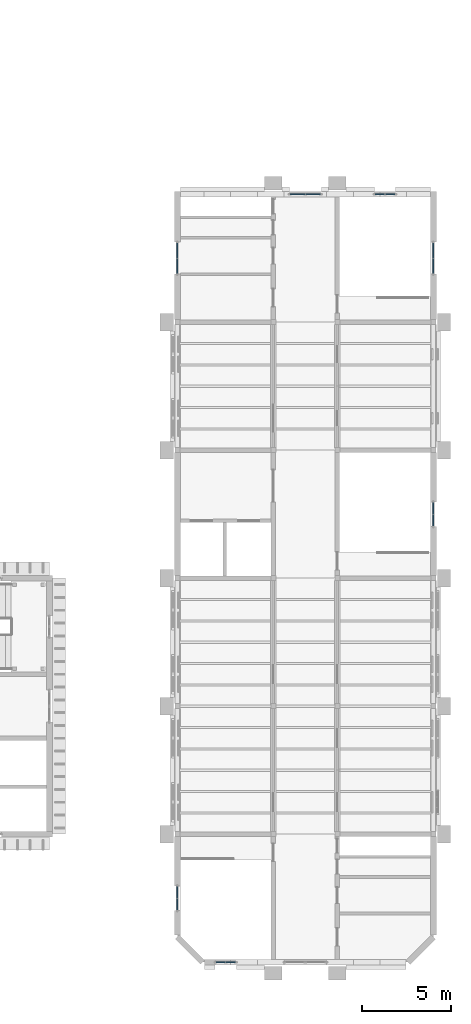
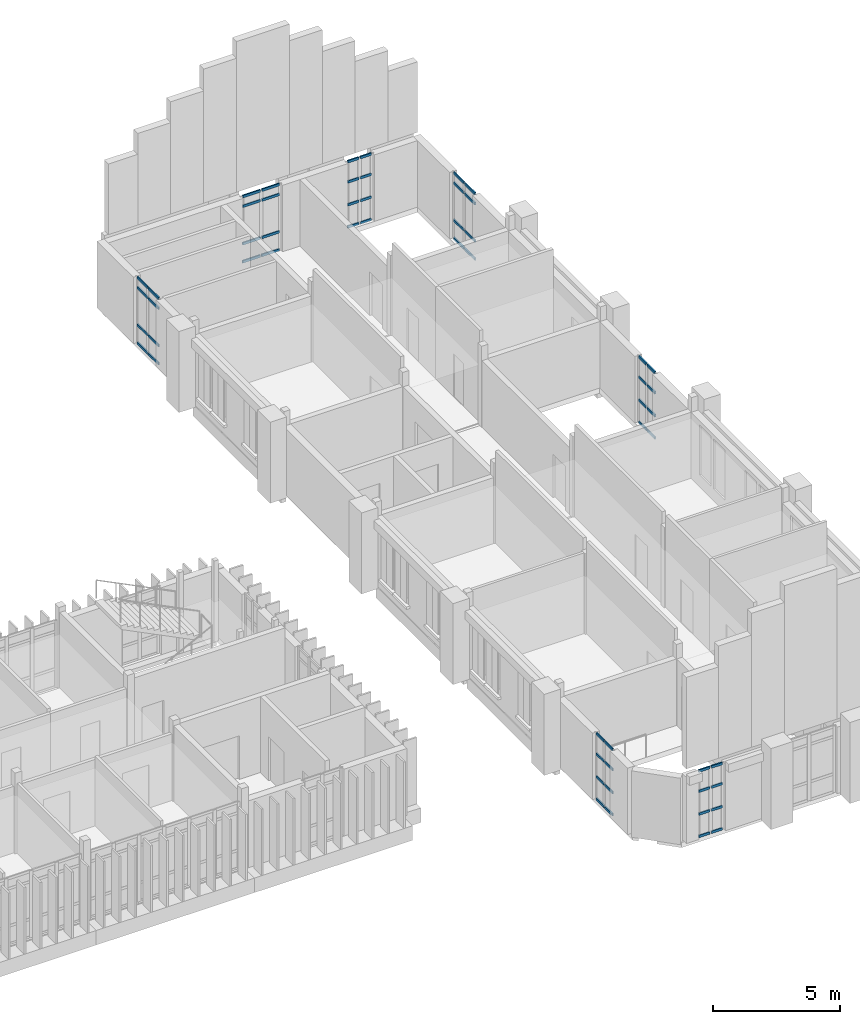
# One storey, part 25 of 71: 56 members, 7 elements without a shape of their own.
"""IFC4 building model written with IfcOpenShell, lengths in metres."""

from ifc_helpers import new_model, si_unit, direction, frame, origin, origin_2d, place, context, subcontext, project, spatial, rectangle, extrude, material, layer, layer_set, material_profile, profile_set, type_object, element, aggregate, save


model = new_model("IFC4")

# Units and contexts
model_context = context("Model", 3, precision=1e-05, world=origin(), true_north=direction((0.0, 1.0)))
body_context = subcontext(model_context, "Body", "Model", "MODEL_VIEW")
ifc_project = project(units=[si_unit("LENGTHUNIT", "METRE"), si_unit("AREAUNIT", "SQUARE_METRE"), si_unit("VOLUMEUNIT", "CUBIC_METRE"), si_unit("PLANEANGLEUNIT", "RADIAN"), si_unit("MASSUNIT", "GRAM", prefix="KILO")], contexts=[model_context])

# Site, building, storey
site_placement = place(None, origin())
site = spatial("IfcSite", under=ifc_project, at=site_placement, CompositionType="ELEMENT")
building_placement = place(site_placement, origin())
building = spatial("IfcBuilding", under=site, at=building_placement, Name="Mazhai Court Health Centre", CompositionType="ELEMENT")
storey_placement = place(building_placement, frame((0.0, 0.0, 10.199951171875)))
storey = spatial("IfcBuildingStorey", under=building, at=storey_placement, Name="L02", CompositionType="ELEMENT", Elevation=10.199951171875)

# Curtain wall, members
ifc_material_1 = material(Name="Teak timber frame, glazed", Category="wood")
ifc_layer_1 = layer(ifc_material_1, 0.10009765625)
ifc_layer_set_1 = layer_set([ifc_layer_1], Name="CURTAIN WALL TIMBER 600")
curtain_wall_type_1 = type_object("IfcCurtainWallType", Name="CURTAIN WALL TIMBER 600", PredefinedType="NOTDEFINED", material=ifc_layer_set_1)
curtain_wall_1_placement = place(storey_placement, origin())
curtain_wall_1 = element("IfcCurtainWall", 1, at=curtain_wall_1_placement, inside=storey, type_object=curtain_wall_type_1, Name="CW-V6-L02-A0", PredefinedType="NOTDEFINED")
ifc_material_2 = material(Name="Teak timber", Category="wood")
ifc_material_profile = material_profile(ifc_material_2, rectangle(XDim=0.06005859375, YDim=0.1201171875, at=origin_2d()), Name="CW TRANSOM 60x120")
ifc_profile_set = profile_set([ifc_material_profile], Name="Teak timber")
member_type = type_object("IfcMemberType", Name="CW TRANSOM 60x120", PredefinedType="USERDEFINED", material=ifc_profile_set)
member_1_placement = place(storey_placement, frame((135.800048828125, 9.159912109375, 0.030029296875), z_axis=(0.0, 1.0, 0.0), x_axis=(-1.0, 0.0, 0.0)))
member_1 = element("IfcMember", 2, at=member_1_placement, type_object=member_type, Name="CW transom 1.1", ObjectType="TRANSOM", PredefinedType="USERDEFINED", context=body_context, shape_type="SweptSolid", body=[
    extrude(rectangle(XDim=0.06005859375, YDim=0.1201171875, at=origin_2d()), origin(), (0.0, 0.0, 1.0), 0.610107421875),
])
member_2_placement = place(storey_placement, frame((135.800048828125, 9.159912109375, 1.10009765625), z_axis=(0.0, 1.0, 0.0), x_axis=(-1.0, 0.0, 0.0)))
member_2 = element("IfcMember", 3, at=member_2_placement, type_object=member_type, Name="CW transom 1.2", ObjectType="TRANSOM", PredefinedType="USERDEFINED", context=body_context, shape_type="SweptSolid", body=[
    extrude(rectangle(XDim=0.06005859375, YDim=0.1201171875, at=origin_2d()), origin(), (0.0, 0.0, 1.0), 0.610107421875),
])
member_3_placement = place(storey_placement, frame((135.800048828125, 9.159912109375, 2.199951171875), z_axis=(0.0, 1.0, 0.0), x_axis=(-1.0, 0.0, 0.0)))
member_3 = element("IfcMember", 4, at=member_3_placement, type_object=member_type, Name="CW transom 1.3", ObjectType="TRANSOM", PredefinedType="USERDEFINED", context=body_context, shape_type="SweptSolid", body=[
    extrude(rectangle(XDim=0.06005859375, YDim=0.1201171875, at=origin_2d()), origin(), (0.0, 0.0, 1.0), 0.610107421875),
])
member_4_placement = place(storey_placement, frame((135.800048828125, 9.159912109375, 3.170166015625), z_axis=(0.0, 1.0, 0.0), x_axis=(-1.0, 0.0, 0.0)))
member_4 = element("IfcMember", 5, at=member_4_placement, type_object=member_type, Name="CW transom 1.4", ObjectType="TRANSOM", PredefinedType="USERDEFINED", context=body_context, shape_type="SweptSolid", body=[
    extrude(rectangle(XDim=0.06005859375, YDim=0.1201171875, at=origin_2d()), origin(), (0.0, 0.0, 1.0), 0.610107421875),
])
member_5_placement = place(storey_placement, frame((135.800048828125, 9.830078125, 0.030029296875), z_axis=(0.0, 1.0, 0.0), x_axis=(-1.0, 0.0, 0.0)))
member_5 = element("IfcMember", 6, at=member_5_placement, type_object=member_type, Name="CW transom 2.1", ObjectType="TRANSOM", PredefinedType="USERDEFINED", context=body_context, shape_type="SweptSolid", body=[
    extrude(rectangle(XDim=0.06005859375, YDim=0.1201171875, at=origin_2d()), origin(), (0.0, 0.0, 1.0), 0.60986328125),
])
member_6_placement = place(storey_placement, frame((135.800048828125, 9.830078125, 1.10009765625), z_axis=(0.0, 1.0, 0.0), x_axis=(-1.0, 0.0, 0.0)))
member_6 = element("IfcMember", 7, at=member_6_placement, type_object=member_type, Name="CW transom 2.2", ObjectType="TRANSOM", PredefinedType="USERDEFINED", context=body_context, shape_type="SweptSolid", body=[
    extrude(rectangle(XDim=0.06005859375, YDim=0.1201171875, at=origin_2d()), origin(), (0.0, 0.0, 1.0), 0.60986328125),
])
member_7_placement = place(storey_placement, frame((135.800048828125, 9.830078125, 2.199951171875), z_axis=(0.0, 1.0, 0.0), x_axis=(-1.0, 0.0, 0.0)))
member_7 = element("IfcMember", 8, at=member_7_placement, type_object=member_type, Name="CW transom 2.3", ObjectType="TRANSOM", PredefinedType="USERDEFINED", context=body_context, shape_type="SweptSolid", body=[
    extrude(rectangle(XDim=0.06005859375, YDim=0.1201171875, at=origin_2d()), origin(), (0.0, 0.0, 1.0), 0.60986328125),
])
member_8_placement = place(storey_placement, frame((135.800048828125, 9.830078125, 3.170166015625), z_axis=(0.0, 1.0, 0.0), x_axis=(-1.0, 0.0, 0.0)))
member_8 = element("IfcMember", 9, at=member_8_placement, type_object=member_type, Name="CW transom 2.4", ObjectType="TRANSOM", PredefinedType="USERDEFINED", context=body_context, shape_type="SweptSolid", body=[
    extrude(rectangle(XDim=0.06005859375, YDim=0.1201171875, at=origin_2d()), origin(), (0.0, 0.0, 1.0), 0.60986328125),
])
aggregate(curtain_wall_1, [member_1, member_2, member_3, member_4, member_5, member_6, member_7, member_8])

ifc_material_3 = material(Name="Teak timber frame, glazed", Category="wood")
ifc_layer_2 = layer(ifc_material_3, 0.10009765625)
ifc_layer_set_2 = layer_set([ifc_layer_2], Name="CURTAIN WALL TIMBER 900")
curtain_wall_type_2 = type_object("IfcCurtainWallType", Name="CURTAIN WALL TIMBER 900", PredefinedType="NOTDEFINED", material=ifc_layer_set_2)
curtain_wall_2_placement = place(storey_placement, origin())
curtain_wall_2 = element("IfcCurtainWall", 10, at=curtain_wall_2_placement, inside=storey, type_object=curtain_wall_type_2, Name="CW-V6-L02-A5", PredefinedType="NOTDEFINED")
member_9_placement = place(storey_placement, frame((135.800048828125, 44.9599609375, 0.030029296875), z_axis=(0.0, 1.0, 0.0), x_axis=(-1.0, 0.0, 0.0)))
member_9 = element("IfcMember", 11, at=member_9_placement, type_object=member_type, Name="CW transom 1.1", ObjectType="TRANSOM", PredefinedType="USERDEFINED", context=body_context, shape_type="SweptSolid", body=[
    extrude(rectangle(XDim=0.06005859375, YDim=0.1201171875, at=origin_2d()), origin(), (0.0, 0.0, 1.0), 0.81005859375),
])
member_10_placement = place(storey_placement, frame((135.800048828125, 44.9599609375, 0.900146484375), z_axis=(0.0, 1.0, 0.0), x_axis=(-1.0, 0.0, 0.0)))
member_10 = element("IfcMember", 12, at=member_10_placement, type_object=member_type, Name="CW transom 1.2", ObjectType="TRANSOM", PredefinedType="USERDEFINED", context=body_context, shape_type="SweptSolid", body=[
    extrude(rectangle(XDim=0.06005859375, YDim=0.1201171875, at=origin_2d()), origin(), (0.0, 0.0, 1.0), 0.81005859375),
])
member_11_placement = place(storey_placement, frame((135.800048828125, 44.9599609375, 2.699951171875), z_axis=(0.0, 1.0, 0.0), x_axis=(-1.0, 0.0, 0.0)))
member_11 = element("IfcMember", 13, at=member_11_placement, type_object=member_type, Name="CW transom 1.3", ObjectType="TRANSOM", PredefinedType="USERDEFINED", context=body_context, shape_type="SweptSolid", body=[
    extrude(rectangle(XDim=0.06005859375, YDim=0.1201171875, at=origin_2d()), origin(), (0.0, 0.0, 1.0), 0.81005859375),
])
member_12_placement = place(storey_placement, frame((135.800048828125, 44.9599609375, 3.170166015625), z_axis=(0.0, 1.0, 0.0), x_axis=(-1.0, 0.0, 0.0)))
member_12 = element("IfcMember", 14, at=member_12_placement, type_object=member_type, Name="CW transom 1.4", ObjectType="TRANSOM", PredefinedType="USERDEFINED", context=body_context, shape_type="SweptSolid", body=[
    extrude(rectangle(XDim=0.06005859375, YDim=0.1201171875, at=origin_2d()), origin(), (0.0, 0.0, 1.0), 0.81005859375),
])
member_13_placement = place(storey_placement, frame((135.800048828125, 45.830078125, 0.030029296875), z_axis=(0.0, 1.0, 0.0), x_axis=(-1.0, 0.0, 0.0)))
member_13 = element("IfcMember", 15, at=member_13_placement, type_object=member_type, Name="CW transom 2.1", ObjectType="TRANSOM", PredefinedType="USERDEFINED", context=body_context, shape_type="SweptSolid", body=[
    extrude(rectangle(XDim=0.06005859375, YDim=0.1201171875, at=origin_2d()), origin(), (0.0, 0.0, 1.0), 0.809814453125),
])
member_14_placement = place(storey_placement, frame((135.800048828125, 45.830078125, 0.900146484375), z_axis=(0.0, 1.0, 0.0), x_axis=(-1.0, 0.0, 0.0)))
member_14 = element("IfcMember", 16, at=member_14_placement, type_object=member_type, Name="CW transom 2.2", ObjectType="TRANSOM", PredefinedType="USERDEFINED", context=body_context, shape_type="SweptSolid", body=[
    extrude(rectangle(XDim=0.06005859375, YDim=0.1201171875, at=origin_2d()), origin(), (0.0, 0.0, 1.0), 0.809814453125),
])
member_15_placement = place(storey_placement, frame((135.800048828125, 45.830078125, 2.699951171875), z_axis=(0.0, 1.0, 0.0), x_axis=(-1.0, 0.0, 0.0)))
member_15 = element("IfcMember", 17, at=member_15_placement, type_object=member_type, Name="CW transom 2.3", ObjectType="TRANSOM", PredefinedType="USERDEFINED", context=body_context, shape_type="SweptSolid", body=[
    extrude(rectangle(XDim=0.06005859375, YDim=0.1201171875, at=origin_2d()), origin(), (0.0, 0.0, 1.0), 0.809814453125),
])
member_16_placement = place(storey_placement, frame((135.800048828125, 45.830078125, 3.170166015625), z_axis=(0.0, 1.0, 0.0), x_axis=(-1.0, 0.0, 0.0)))
member_16 = element("IfcMember", 18, at=member_16_placement, type_object=member_type, Name="CW transom 2.4", ObjectType="TRANSOM", PredefinedType="USERDEFINED", context=body_context, shape_type="SweptSolid", body=[
    extrude(rectangle(XDim=0.06005859375, YDim=0.1201171875, at=origin_2d()), origin(), (0.0, 0.0, 1.0), 0.809814453125),
])
aggregate(curtain_wall_2, [member_9, member_10, member_11, member_12, member_13, member_14, member_15, member_16])

curtain_wall_3_placement = place(storey_placement, origin())
curtain_wall_3 = element("IfcCurtainWall", 19, at=curtain_wall_3_placement, inside=storey, type_object=curtain_wall_type_1, Name="CW-V6-L02-B3", PredefinedType="NOTDEFINED")
member_17_placement = place(storey_placement, frame((150.199951171875, 32.0400390625, 0.030029296875), z_axis=(0.0, -1.0, 0.0), x_axis=(1.0, 0.0, 0.0)))
member_17 = element("IfcMember", 20, at=member_17_placement, type_object=member_type, Name="CW transom 1.1", ObjectType="TRANSOM", PredefinedType="USERDEFINED", context=body_context, shape_type="SweptSolid", body=[
    extrude(rectangle(XDim=0.06005859375, YDim=0.1201171875, at=origin_2d()), origin(), (0.0, 0.0, 1.0), 0.610107421875),
])
member_18_placement = place(storey_placement, frame((150.199951171875, 32.0400390625, 1.10009765625), z_axis=(0.0, -1.0, 0.0), x_axis=(1.0, 0.0, 0.0)))
member_18 = element("IfcMember", 21, at=member_18_placement, type_object=member_type, Name="CW transom 1.2", ObjectType="TRANSOM", PredefinedType="USERDEFINED", context=body_context, shape_type="SweptSolid", body=[
    extrude(rectangle(XDim=0.06005859375, YDim=0.1201171875, at=origin_2d()), origin(), (0.0, 0.0, 1.0), 0.610107421875),
])
member_19_placement = place(storey_placement, frame((150.199951171875, 32.0400390625, 2.199951171875), z_axis=(0.0, -1.0, 0.0), x_axis=(1.0, 0.0, 0.0)))
member_19 = element("IfcMember", 22, at=member_19_placement, type_object=member_type, Name="CW transom 1.3", ObjectType="TRANSOM", PredefinedType="USERDEFINED", context=body_context, shape_type="SweptSolid", body=[
    extrude(rectangle(XDim=0.06005859375, YDim=0.1201171875, at=origin_2d()), origin(), (0.0, 0.0, 1.0), 0.610107421875),
])
member_20_placement = place(storey_placement, frame((150.199951171875, 32.0400390625, 3.170166015625), z_axis=(0.0, -1.0, 0.0), x_axis=(1.0, 0.0, 0.0)))
member_20 = element("IfcMember", 23, at=member_20_placement, type_object=member_type, Name="CW transom 1.4", ObjectType="TRANSOM", PredefinedType="USERDEFINED", context=body_context, shape_type="SweptSolid", body=[
    extrude(rectangle(XDim=0.06005859375, YDim=0.1201171875, at=origin_2d()), origin(), (0.0, 0.0, 1.0), 0.610107421875),
])
member_21_placement = place(storey_placement, frame((150.199951171875, 31.3701171875, 0.030029296875), z_axis=(0.0, -1.0, 0.0), x_axis=(1.0, 0.0, 0.0)))
member_21 = element("IfcMember", 24, at=member_21_placement, type_object=member_type, Name="CW transom 2.1", ObjectType="TRANSOM", PredefinedType="USERDEFINED", context=body_context, shape_type="SweptSolid", body=[
    extrude(rectangle(XDim=0.06005859375, YDim=0.1201171875, at=origin_2d()), origin(), (0.0, 0.0, 1.0), 0.610107421875),
])
member_22_placement = place(storey_placement, frame((150.199951171875, 31.3701171875, 1.10009765625), z_axis=(0.0, -1.0, 0.0), x_axis=(1.0, 0.0, 0.0)))
member_22 = element("IfcMember", 25, at=member_22_placement, type_object=member_type, Name="CW transom 2.2", ObjectType="TRANSOM", PredefinedType="USERDEFINED", context=body_context, shape_type="SweptSolid", body=[
    extrude(rectangle(XDim=0.06005859375, YDim=0.1201171875, at=origin_2d()), origin(), (0.0, 0.0, 1.0), 0.610107421875),
])
member_23_placement = place(storey_placement, frame((150.199951171875, 31.3701171875, 2.199951171875), z_axis=(0.0, -1.0, 0.0), x_axis=(1.0, 0.0, 0.0)))
member_23 = element("IfcMember", 26, at=member_23_placement, type_object=member_type, Name="CW transom 2.3", ObjectType="TRANSOM", PredefinedType="USERDEFINED", context=body_context, shape_type="SweptSolid", body=[
    extrude(rectangle(XDim=0.06005859375, YDim=0.1201171875, at=origin_2d()), origin(), (0.0, 0.0, 1.0), 0.610107421875),
])
member_24_placement = place(storey_placement, frame((150.199951171875, 31.3701171875, 3.170166015625), z_axis=(0.0, -1.0, 0.0), x_axis=(1.0, 0.0, 0.0)))
member_24 = element("IfcMember", 27, at=member_24_placement, type_object=member_type, Name="CW transom 2.4", ObjectType="TRANSOM", PredefinedType="USERDEFINED", context=body_context, shape_type="SweptSolid", body=[
    extrude(rectangle(XDim=0.06005859375, YDim=0.1201171875, at=origin_2d()), origin(), (0.0, 0.0, 1.0), 0.610107421875),
])
aggregate(curtain_wall_3, [member_17, member_18, member_19, member_20, member_21, member_22, member_23, member_24])

curtain_wall_4_placement = place(storey_placement, origin())
curtain_wall_4 = element("IfcCurtainWall", 28, at=curtain_wall_4_placement, inside=storey, type_object=curtain_wall_type_2, Name="CW-V6-L02-B5", PredefinedType="NOTDEFINED")
member_25_placement = place(storey_placement, frame((150.199951171875, 46.639892578125, 0.030029296875), z_axis=(0.0, -1.0, 0.0), x_axis=(1.0, 0.0, 0.0)))
member_25 = element("IfcMember", 29, at=member_25_placement, type_object=member_type, Name="CW transom 1.1", ObjectType="TRANSOM", PredefinedType="USERDEFINED", context=body_context, shape_type="SweptSolid", body=[
    extrude(rectangle(XDim=0.06005859375, YDim=0.1201171875, at=origin_2d()), origin(), (0.0, 0.0, 1.0), 0.809814453125),
])
member_26_placement = place(storey_placement, frame((150.199951171875, 46.639892578125, 0.900146484375), z_axis=(0.0, -1.0, 0.0), x_axis=(1.0, 0.0, 0.0)))
member_26 = element("IfcMember", 30, at=member_26_placement, type_object=member_type, Name="CW transom 1.2", ObjectType="TRANSOM", PredefinedType="USERDEFINED", context=body_context, shape_type="SweptSolid", body=[
    extrude(rectangle(XDim=0.06005859375, YDim=0.1201171875, at=origin_2d()), origin(), (0.0, 0.0, 1.0), 0.809814453125),
])
member_27_placement = place(storey_placement, frame((150.199951171875, 46.639892578125, 2.699951171875), z_axis=(0.0, -1.0, 0.0), x_axis=(1.0, 0.0, 0.0)))
member_27 = element("IfcMember", 31, at=member_27_placement, type_object=member_type, Name="CW transom 1.3", ObjectType="TRANSOM", PredefinedType="USERDEFINED", context=body_context, shape_type="SweptSolid", body=[
    extrude(rectangle(XDim=0.06005859375, YDim=0.1201171875, at=origin_2d()), origin(), (0.0, 0.0, 1.0), 0.809814453125),
])
member_28_placement = place(storey_placement, frame((150.199951171875, 46.639892578125, 3.170166015625), z_axis=(0.0, -1.0, 0.0), x_axis=(1.0, 0.0, 0.0)))
member_28 = element("IfcMember", 32, at=member_28_placement, type_object=member_type, Name="CW transom 1.4", ObjectType="TRANSOM", PredefinedType="USERDEFINED", context=body_context, shape_type="SweptSolid", body=[
    extrude(rectangle(XDim=0.06005859375, YDim=0.1201171875, at=origin_2d()), origin(), (0.0, 0.0, 1.0), 0.809814453125),
])
member_29_placement = place(storey_placement, frame((150.199951171875, 45.77001953125, 0.030029296875), z_axis=(0.0, -1.0, 0.0), x_axis=(1.0, 0.0, 0.0)))
member_29 = element("IfcMember", 33, at=member_29_placement, type_object=member_type, Name="CW transom 2.1", ObjectType="TRANSOM", PredefinedType="USERDEFINED", context=body_context, shape_type="SweptSolid", body=[
    extrude(rectangle(XDim=0.06005859375, YDim=0.1201171875, at=origin_2d()), origin(), (0.0, 0.0, 1.0), 0.81005859375),
])
member_30_placement = place(storey_placement, frame((150.199951171875, 45.77001953125, 0.900146484375), z_axis=(0.0, -1.0, 0.0), x_axis=(1.0, 0.0, 0.0)))
member_30 = element("IfcMember", 34, at=member_30_placement, type_object=member_type, Name="CW transom 2.2", ObjectType="TRANSOM", PredefinedType="USERDEFINED", context=body_context, shape_type="SweptSolid", body=[
    extrude(rectangle(XDim=0.06005859375, YDim=0.1201171875, at=origin_2d()), origin(), (0.0, 0.0, 1.0), 0.81005859375),
])
member_31_placement = place(storey_placement, frame((150.199951171875, 45.77001953125, 2.699951171875), z_axis=(0.0, -1.0, 0.0), x_axis=(1.0, 0.0, 0.0)))
member_31 = element("IfcMember", 35, at=member_31_placement, type_object=member_type, Name="CW transom 2.3", ObjectType="TRANSOM", PredefinedType="USERDEFINED", context=body_context, shape_type="SweptSolid", body=[
    extrude(rectangle(XDim=0.06005859375, YDim=0.1201171875, at=origin_2d()), origin(), (0.0, 0.0, 1.0), 0.81005859375),
])
member_32_placement = place(storey_placement, frame((150.199951171875, 45.77001953125, 3.170166015625), z_axis=(0.0, -1.0, 0.0), x_axis=(1.0, 0.0, 0.0)))
member_32 = element("IfcMember", 36, at=member_32_placement, type_object=member_type, Name="CW transom 2.4", ObjectType="TRANSOM", PredefinedType="USERDEFINED", context=body_context, shape_type="SweptSolid", body=[
    extrude(rectangle(XDim=0.06005859375, YDim=0.1201171875, at=origin_2d()), origin(), (0.0, 0.0, 1.0), 0.81005859375),
])
aggregate(curtain_wall_4, [member_25, member_26, member_27, member_28, member_29, member_30, member_31, member_32])

curtain_wall_5_placement = place(storey_placement, origin())
curtain_wall_5 = element("IfcCurtainWall", 37, at=curtain_wall_5_placement, inside=storey, type_object=curtain_wall_type_1, Name="CW-V6-L02-SSTAIR0", PredefinedType="NOTDEFINED")
member_33_placement = place(storey_placement, frame((139.06005859375, 6.199951171875, 0.030029296875), z_axis=(-1.0, 0.0, 0.0), x_axis=(0.0, -1.0, 0.0)))
member_33 = element("IfcMember", 38, at=member_33_placement, type_object=member_type, Name="CW transom 1.1", ObjectType="TRANSOM", PredefinedType="USERDEFINED", context=body_context, shape_type="SweptSolid", body=[
    extrude(rectangle(XDim=0.06005859375, YDim=0.1201171875, at=origin_2d()), origin(), (0.0, 0.0, 1.0), 0.510009765625),
])
member_34_placement = place(storey_placement, frame((139.06005859375, 6.199951171875, 1.10009765625), z_axis=(-1.0, 0.0, 0.0), x_axis=(0.0, -1.0, 0.0)))
member_34 = element("IfcMember", 39, at=member_34_placement, type_object=member_type, Name="CW transom 1.2", ObjectType="TRANSOM", PredefinedType="USERDEFINED", context=body_context, shape_type="SweptSolid", body=[
    extrude(rectangle(XDim=0.06005859375, YDim=0.1201171875, at=origin_2d()), origin(), (0.0, 0.0, 1.0), 0.510009765625),
])
member_35_placement = place(storey_placement, frame((139.06005859375, 6.199951171875, 2.199951171875), z_axis=(-1.0, 0.0, 0.0), x_axis=(0.0, -1.0, 0.0)))
member_35 = element("IfcMember", 40, at=member_35_placement, type_object=member_type, Name="CW transom 1.3", ObjectType="TRANSOM", PredefinedType="USERDEFINED", context=body_context, shape_type="SweptSolid", body=[
    extrude(rectangle(XDim=0.06005859375, YDim=0.1201171875, at=origin_2d()), origin(), (0.0, 0.0, 1.0), 0.510009765625),
])
member_36_placement = place(storey_placement, frame((139.06005859375, 6.199951171875, 3.170166015625), z_axis=(-1.0, 0.0, 0.0), x_axis=(0.0, -1.0, 0.0)))
member_36 = element("IfcMember", 41, at=member_36_placement, type_object=member_type, Name="CW transom 1.4", ObjectType="TRANSOM", PredefinedType="USERDEFINED", context=body_context, shape_type="SweptSolid", body=[
    extrude(rectangle(XDim=0.06005859375, YDim=0.1201171875, at=origin_2d()), origin(), (0.0, 0.0, 1.0), 0.510009765625),
])
member_37_placement = place(storey_placement, frame((138.489990234375, 6.199951171875, 0.030029296875), z_axis=(-1.0, 0.0, 0.0), x_axis=(0.0, -1.0, 0.0)))
member_37 = element("IfcMember", 42, at=member_37_placement, type_object=member_type, Name="CW transom 2.1", ObjectType="TRANSOM", PredefinedType="USERDEFINED", context=body_context, shape_type="SweptSolid", body=[
    extrude(rectangle(XDim=0.06005859375, YDim=0.1201171875, at=origin_2d()), origin(), (0.0, 0.0, 1.0), 0.510009765625),
])
member_38_placement = place(storey_placement, frame((138.489990234375, 6.199951171875, 1.10009765625), z_axis=(-1.0, 0.0, 0.0), x_axis=(0.0, -1.0, 0.0)))
member_38 = element("IfcMember", 43, at=member_38_placement, type_object=member_type, Name="CW transom 2.2", ObjectType="TRANSOM", PredefinedType="USERDEFINED", context=body_context, shape_type="SweptSolid", body=[
    extrude(rectangle(XDim=0.06005859375, YDim=0.1201171875, at=origin_2d()), origin(), (0.0, 0.0, 1.0), 0.510009765625),
])
member_39_placement = place(storey_placement, frame((138.489990234375, 6.199951171875, 2.199951171875), z_axis=(-1.0, 0.0, 0.0), x_axis=(0.0, -1.0, 0.0)))
member_39 = element("IfcMember", 44, at=member_39_placement, type_object=member_type, Name="CW transom 2.3", ObjectType="TRANSOM", PredefinedType="USERDEFINED", context=body_context, shape_type="SweptSolid", body=[
    extrude(rectangle(XDim=0.06005859375, YDim=0.1201171875, at=origin_2d()), origin(), (0.0, 0.0, 1.0), 0.510009765625),
])
member_40_placement = place(storey_placement, frame((138.489990234375, 6.199951171875, 3.170166015625), z_axis=(-1.0, 0.0, 0.0), x_axis=(0.0, -1.0, 0.0)))
member_40 = element("IfcMember", 45, at=member_40_placement, type_object=member_type, Name="CW transom 2.4", ObjectType="TRANSOM", PredefinedType="USERDEFINED", context=body_context, shape_type="SweptSolid", body=[
    extrude(rectangle(XDim=0.06005859375, YDim=0.1201171875, at=origin_2d()), origin(), (0.0, 0.0, 1.0), 0.510009765625),
])
aggregate(curtain_wall_5, [member_33, member_34, member_35, member_36, member_37, member_38, member_39, member_40])

curtain_wall_6_placement = place(storey_placement, origin())
curtain_wall_6 = element("IfcCurtainWall", 46, at=curtain_wall_6_placement, inside=storey, type_object=curtain_wall_type_2, Name="CW-V6-L02-ELIFT0", PredefinedType="NOTDEFINED")
member_41_placement = place(storey_placement, frame((142.159912109375, 49.39990234375, 0.030029296875), z_axis=(1.0, 0.0, 0.0), x_axis=(0.0, 1.0, 0.0)))
member_41 = element("IfcMember", 47, at=member_41_placement, type_object=member_type, Name="CW transom 1.1", ObjectType="TRANSOM", PredefinedType="USERDEFINED", context=body_context, shape_type="SweptSolid", body=[
    extrude(rectangle(XDim=0.06005859375, YDim=0.1201171875, at=origin_2d()), origin(), (0.0, 0.0, 1.0), 0.81005859375),
])
member_42_placement = place(storey_placement, frame((142.159912109375, 49.39990234375, 0.900146484375), z_axis=(1.0, 0.0, 0.0), x_axis=(0.0, 1.0, 0.0)))
member_42 = element("IfcMember", 48, at=member_42_placement, type_object=member_type, Name="CW transom 1.2", ObjectType="TRANSOM", PredefinedType="USERDEFINED", context=body_context, shape_type="SweptSolid", body=[
    extrude(rectangle(XDim=0.06005859375, YDim=0.1201171875, at=origin_2d()), origin(), (0.0, 0.0, 1.0), 0.81005859375),
])
member_43_placement = place(storey_placement, frame((142.159912109375, 49.39990234375, 2.699951171875), z_axis=(1.0, 0.0, 0.0), x_axis=(0.0, 1.0, 0.0)))
member_43 = element("IfcMember", 49, at=member_43_placement, type_object=member_type, Name="CW transom 1.3", ObjectType="TRANSOM", PredefinedType="USERDEFINED", context=body_context, shape_type="SweptSolid", body=[
    extrude(rectangle(XDim=0.06005859375, YDim=0.1201171875, at=origin_2d()), origin(), (0.0, 0.0, 1.0), 0.81005859375),
])
member_44_placement = place(storey_placement, frame((142.159912109375, 49.39990234375, 3.170166015625), z_axis=(1.0, 0.0, 0.0), x_axis=(0.0, 1.0, 0.0)))
member_44 = element("IfcMember", 50, at=member_44_placement, type_object=member_type, Name="CW transom 1.4", ObjectType="TRANSOM", PredefinedType="USERDEFINED", context=body_context, shape_type="SweptSolid", body=[
    extrude(rectangle(XDim=0.06005859375, YDim=0.1201171875, at=origin_2d()), origin(), (0.0, 0.0, 1.0), 0.81005859375),
])
member_45_placement = place(storey_placement, frame((143.030029296875, 49.39990234375, 0.030029296875), z_axis=(1.0, 0.0, 0.0), x_axis=(0.0, 1.0, 0.0)))
member_45 = element("IfcMember", 51, at=member_45_placement, type_object=member_type, Name="CW transom 2.1", ObjectType="TRANSOM", PredefinedType="USERDEFINED", context=body_context, shape_type="SweptSolid", body=[
    extrude(rectangle(XDim=0.06005859375, YDim=0.1201171875, at=origin_2d()), origin(), (0.0, 0.0, 1.0), 0.81005859375),
])
member_46_placement = place(storey_placement, frame((143.030029296875, 49.39990234375, 0.900146484375), z_axis=(1.0, 0.0, 0.0), x_axis=(0.0, 1.0, 0.0)))
member_46 = element("IfcMember", 52, at=member_46_placement, type_object=member_type, Name="CW transom 2.2", ObjectType="TRANSOM", PredefinedType="USERDEFINED", context=body_context, shape_type="SweptSolid", body=[
    extrude(rectangle(XDim=0.06005859375, YDim=0.1201171875, at=origin_2d()), origin(), (0.0, 0.0, 1.0), 0.81005859375),
])
member_47_placement = place(storey_placement, frame((143.030029296875, 49.39990234375, 2.699951171875), z_axis=(1.0, 0.0, 0.0), x_axis=(0.0, 1.0, 0.0)))
member_47 = element("IfcMember", 53, at=member_47_placement, type_object=member_type, Name="CW transom 2.3", ObjectType="TRANSOM", PredefinedType="USERDEFINED", context=body_context, shape_type="SweptSolid", body=[
    extrude(rectangle(XDim=0.06005859375, YDim=0.1201171875, at=origin_2d()), origin(), (0.0, 0.0, 1.0), 0.81005859375),
])
member_48_placement = place(storey_placement, frame((143.030029296875, 49.39990234375, 3.170166015625), z_axis=(1.0, 0.0, 0.0), x_axis=(0.0, 1.0, 0.0)))
member_48 = element("IfcMember", 54, at=member_48_placement, type_object=member_type, Name="CW transom 2.4", ObjectType="TRANSOM", PredefinedType="USERDEFINED", context=body_context, shape_type="SweptSolid", body=[
    extrude(rectangle(XDim=0.06005859375, YDim=0.1201171875, at=origin_2d()), origin(), (0.0, 0.0, 1.0), 0.81005859375),
])
aggregate(curtain_wall_6, [member_41, member_42, member_43, member_44, member_45, member_46, member_47, member_48])

curtain_wall_7_placement = place(storey_placement, origin())
curtain_wall_7 = element("IfcCurtainWall", 55, at=curtain_wall_7_placement, inside=storey, type_object=curtain_wall_type_1, Name="CW-V6-L02-ESTAIR1", PredefinedType="NOTDEFINED")
member_49_placement = place(storey_placement, frame((146.93994140625, 49.39990234375, 0.030029296875), z_axis=(1.0, 0.0, 0.0), x_axis=(0.0, 1.0, 0.0)))
member_49 = element("IfcMember", 56, at=member_49_placement, type_object=member_type, Name="CW transom 1.1", ObjectType="TRANSOM", PredefinedType="USERDEFINED", context=body_context, shape_type="SweptSolid", body=[
    extrude(rectangle(XDim=0.06005859375, YDim=0.1201171875, at=origin_2d()), origin(), (0.0, 0.0, 1.0), 0.510009765625),
])
member_50_placement = place(storey_placement, frame((146.93994140625, 49.39990234375, 1.10009765625), z_axis=(1.0, 0.0, 0.0), x_axis=(0.0, 1.0, 0.0)))
member_50 = element("IfcMember", 57, at=member_50_placement, type_object=member_type, Name="CW transom 1.2", ObjectType="TRANSOM", PredefinedType="USERDEFINED", context=body_context, shape_type="SweptSolid", body=[
    extrude(rectangle(XDim=0.06005859375, YDim=0.1201171875, at=origin_2d()), origin(), (0.0, 0.0, 1.0), 0.510009765625),
])
member_51_placement = place(storey_placement, frame((146.93994140625, 49.39990234375, 2.199951171875), z_axis=(1.0, 0.0, 0.0), x_axis=(0.0, 1.0, 0.0)))
member_51 = element("IfcMember", 58, at=member_51_placement, type_object=member_type, Name="CW transom 1.3", ObjectType="TRANSOM", PredefinedType="USERDEFINED", context=body_context, shape_type="SweptSolid", body=[
    extrude(rectangle(XDim=0.06005859375, YDim=0.1201171875, at=origin_2d()), origin(), (0.0, 0.0, 1.0), 0.510009765625),
])
member_52_placement = place(storey_placement, frame((146.93994140625, 49.39990234375, 3.170166015625), z_axis=(1.0, 0.0, 0.0), x_axis=(0.0, 1.0, 0.0)))
member_52 = element("IfcMember", 59, at=member_52_placement, type_object=member_type, Name="CW transom 1.4", ObjectType="TRANSOM", PredefinedType="USERDEFINED", context=body_context, shape_type="SweptSolid", body=[
    extrude(rectangle(XDim=0.06005859375, YDim=0.1201171875, at=origin_2d()), origin(), (0.0, 0.0, 1.0), 0.510009765625),
])
member_53_placement = place(storey_placement, frame((147.510009765625, 49.39990234375, 0.030029296875), z_axis=(1.0, 0.0, 0.0), x_axis=(0.0, 1.0, 0.0)))
member_53 = element("IfcMember", 60, at=member_53_placement, type_object=member_type, Name="CW transom 2.1", ObjectType="TRANSOM", PredefinedType="USERDEFINED", context=body_context, shape_type="SweptSolid", body=[
    extrude(rectangle(XDim=0.06005859375, YDim=0.1201171875, at=origin_2d()), origin(), (0.0, 0.0, 1.0), 0.510009765625),
])
member_54_placement = place(storey_placement, frame((147.510009765625, 49.39990234375, 1.10009765625), z_axis=(1.0, 0.0, 0.0), x_axis=(0.0, 1.0, 0.0)))
member_54 = element("IfcMember", 61, at=member_54_placement, type_object=member_type, Name="CW transom 2.2", ObjectType="TRANSOM", PredefinedType="USERDEFINED", context=body_context, shape_type="SweptSolid", body=[
    extrude(rectangle(XDim=0.06005859375, YDim=0.1201171875, at=origin_2d()), origin(), (0.0, 0.0, 1.0), 0.510009765625),
])
member_55_placement = place(storey_placement, frame((147.510009765625, 49.39990234375, 2.199951171875), z_axis=(1.0, 0.0, 0.0), x_axis=(0.0, 1.0, 0.0)))
member_55 = element("IfcMember", 62, at=member_55_placement, type_object=member_type, Name="CW transom 2.3", ObjectType="TRANSOM", PredefinedType="USERDEFINED", context=body_context, shape_type="SweptSolid", body=[
    extrude(rectangle(XDim=0.06005859375, YDim=0.1201171875, at=origin_2d()), origin(), (0.0, 0.0, 1.0), 0.510009765625),
])
member_56_placement = place(storey_placement, frame((147.510009765625, 49.39990234375, 3.170166015625), z_axis=(1.0, 0.0, 0.0), x_axis=(0.0, 1.0, 0.0)))
member_56 = element("IfcMember", 63, at=member_56_placement, type_object=member_type, Name="CW transom 2.4", ObjectType="TRANSOM", PredefinedType="USERDEFINED", context=body_context, shape_type="SweptSolid", body=[
    extrude(rectangle(XDim=0.06005859375, YDim=0.1201171875, at=origin_2d()), origin(), (0.0, 0.0, 1.0), 0.510009765625),
])
aggregate(curtain_wall_7, [member_49, member_50, member_51, member_52, member_53, member_54, member_55, member_56])

save(model, "model.ifc")
